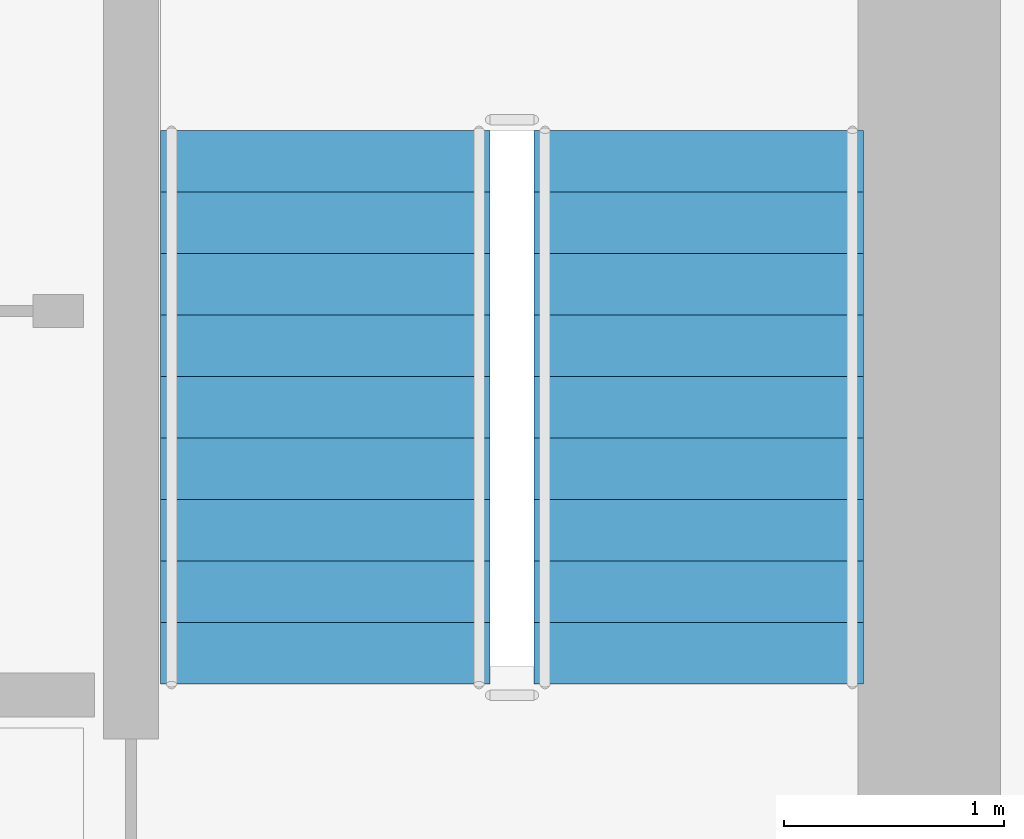
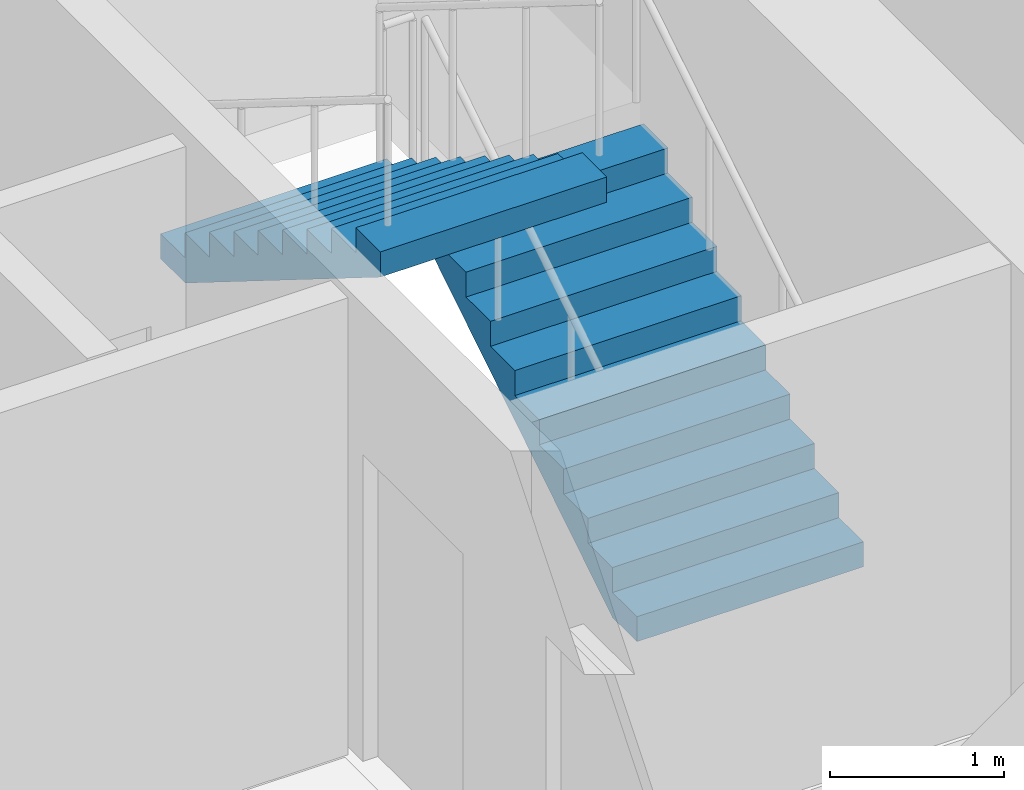
# One storey, part 7 of 11: 2 stair flights, 1 element without a shape of its own.
"""IFC4 building model written with IfcOpenShell, lengths in metres."""

from ifc_helpers import new_model, si_unit, direction, frame, origin, place, context, subcontext, project, spatial, polyline, outline, extrude, material, type_object, element, aggregate, save


model = new_model("IFC4")

# Units and contexts
model_context = context("Model", 3, precision=1e-05, world=origin(), true_north=direction((0.0, 1.0)))
body_context = subcontext(model_context, "Body", "Model", "MODEL_VIEW")
ifc_project = project(units=[si_unit("LENGTHUNIT", "METRE"), si_unit("AREAUNIT", "SQUARE_METRE"), si_unit("VOLUMEUNIT", "CUBIC_METRE"), si_unit("PLANEANGLEUNIT", "RADIAN"), si_unit("MASSUNIT", "GRAM", prefix="KILO")], contexts=[model_context])

# Site, building, storey
site_placement = place(None, origin())
site = spatial("IfcSite", under=ifc_project, at=site_placement, CompositionType="ELEMENT")
building_placement = place(site_placement, origin())
building = spatial("IfcBuilding", under=site, at=building_placement, Name="Kranthara Brick Stack", CompositionType="ELEMENT")
storey_placement = place(building_placement, frame((0.0, 0.0, 172.800048828125)))
storey = spatial("IfcBuildingStorey", under=building, at=storey_placement, Name="L44", CompositionType="ELEMENT", Elevation=172.800048828125)

# Stair, stair flights
ifc_material_1 = material(Name="Concrete C45/55", Category="concrete")
stair_type = type_object("IfcStairType", Name="ST-CORE-20R", PredefinedType="HALF_TURN_STAIR", material=ifc_material_1)
stair_placement = place(storey_placement, origin())
stair = element("IfcStair", 1, at=stair_placement, inside=storey, type_object=stair_type, Name="L44 East Core Protected Exit Stair ST02", PredefinedType="HALF_TURN_STAIR")
ifc_material_2 = material(Name="Concrete C45/55", Category="concrete")
stair_flight_type = type_object("IfcStairFlightType", Name="SFL-RC-20R", PredefinedType="STRAIGHT", material=ifc_material_2)
stair_flight_1_placement = place(storey_placement, frame((42.14990234375, 25.199951171875, 0.0), z_axis=(0.0, 0.0, 1.0), x_axis=(0.0, 1.0, 0.0)))
stair_flight_1 = element("IfcStairFlight", 2, at=stair_flight_1_placement, type_object=stair_flight_type, Name="ST02 flight 1", NumberOfRisers=10, NumberOfTreads=9, PredefinedType="STRAIGHT", RiserHeight=0.175, TreadLength=0.28, context=body_context, shape_type="SweptSolid", body=[
    extrude(outline(polyline([(0.0, 0.0), (0.0, 0.175048828125), (0.280029296875, 0.175048828125), (0.280029296875, 0.35009765625), (0.56005859375, 0.35009765625), (0.56005859375, 0.52490234375), (0.840087890625, 0.52490234375), (0.840087890625, 0.699951171875), (1.1201171875, 0.699951171875), (1.1201171875, 0.875), (1.39990234375, 0.875), (1.39990234375, 1.050048828125), (1.679931640625, 1.050048828125), (1.679931640625, 1.22509765625), (1.9599609375, 1.22509765625), (1.9599609375, 1.39990234375), (2.239990234375, 1.39990234375), (2.239990234375, 1.574951171875), (2.52001953125, 1.574951171875), (2.52001953125, 1.75), (2.52001953125, 1.398193359375), (0.28271484375, 0.0), (0.0, 0.0)])), frame((0.0, 0.75, 0.0), z_axis=(0.0, -1.0, 0.0), x_axis=(1.0, 0.0, 0.0)), (0.0, 0.0, 1.0), 1.5),
])
stair_flight_2_placement = place(storey_placement, frame((40.449951171875, 27.719970703125, 1.75), z_axis=(0.0, 0.0, 1.0), x_axis=(0.0, -1.0, 0.0)))
stair_flight_2 = element("IfcStairFlight", 3, at=stair_flight_2_placement, type_object=stair_flight_type, Name="ST02 flight 2", NumberOfRisers=10, NumberOfTreads=9, PredefinedType="STRAIGHT", RiserHeight=0.175, TreadLength=0.28, context=body_context, shape_type="SweptSolid", body=[
    extrude(outline(polyline([(0.0, 0.0), (0.0, 0.175048828125), (0.280029296875, 0.175048828125), (0.280029296875, 0.35009765625), (0.56005859375, 0.35009765625), (0.56005859375, 0.52490234375), (0.840087890625, 0.52490234375), (0.840087890625, 0.699951171875), (1.1201171875, 0.699951171875), (1.1201171875, 0.875), (1.39990234375, 0.875), (1.39990234375, 1.050048828125), (1.679931640625, 1.050048828125), (1.679931640625, 1.22509765625), (1.9599609375, 1.22509765625), (1.9599609375, 1.39990234375), (2.239990234375, 1.39990234375), (2.239990234375, 1.574951171875), (2.52001953125, 1.574951171875), (2.52001953125, 1.75), (2.52001953125, 1.398193359375), (0.28271484375, 0.0), (0.0, 0.0)])), frame((0.0, 0.75, 0.0), z_axis=(0.0, -1.0, 0.0), x_axis=(1.0, 0.0, 0.0)), (0.0, 0.0, 1.0), 1.5),
])
aggregate(stair, [stair_flight_1, stair_flight_2])

save(model, "model.ifc")
